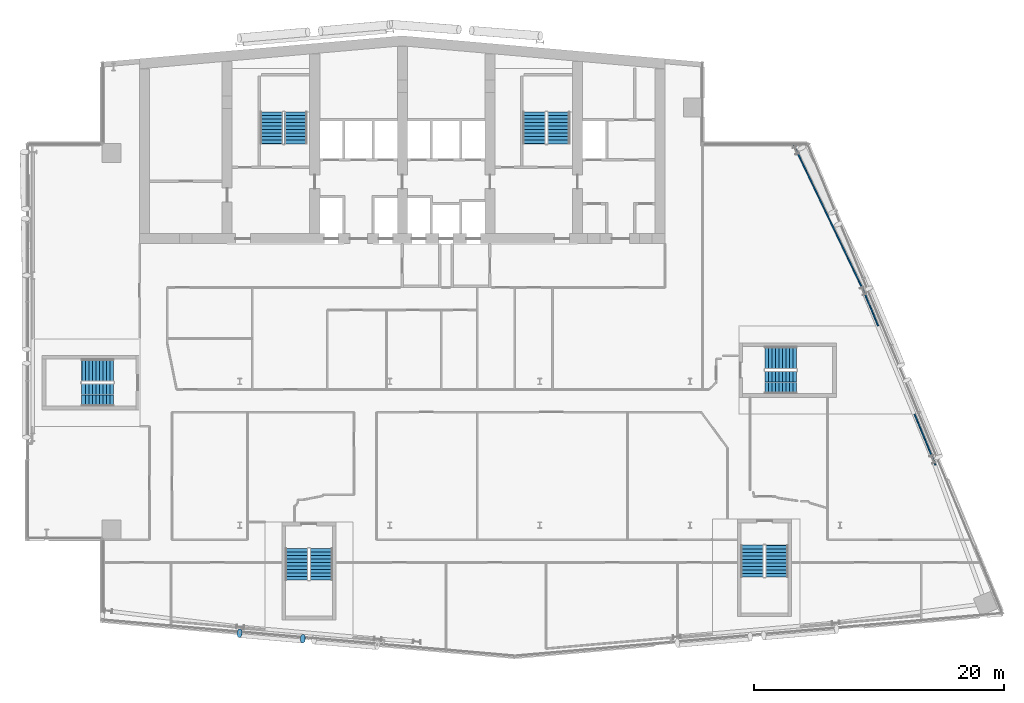
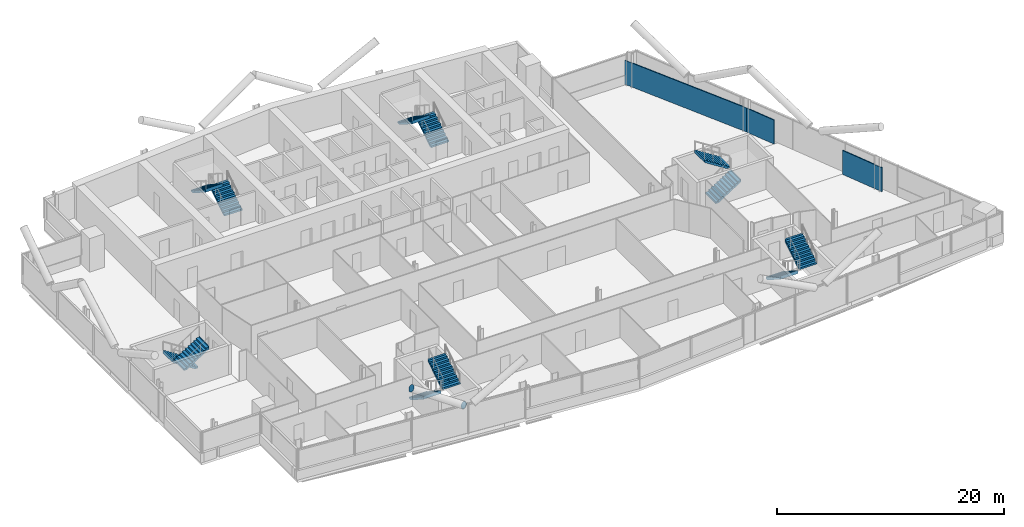
# One storey, part 20 of 27: 12 stair flights, 3 walls, 2 discrete accessories, 6 elements without a shape of their own.
"""IFC4 building model written with IfcOpenShell, lengths in metres."""

from ifc_helpers import new_model, si_unit, direction, frame, frame_2d, origin, origin_2d, place, context, subcontext, project, spatial, polyline, rectangle, circle, outline, extrude, material, layer, layer_set, material_profile, profile_set, type_object, element, aggregate, save


model = new_model("IFC4")

# Units and contexts
model_context = context("Model", 3, precision=1e-05, world=origin(), true_north=direction((0.0, 1.0)))
body_context = subcontext(model_context, "Body", "Model", "MODEL_VIEW")
ifc_project = project(units=[si_unit("LENGTHUNIT", "METRE"), si_unit("AREAUNIT", "SQUARE_METRE"), si_unit("VOLUMEUNIT", "CUBIC_METRE"), si_unit("PLANEANGLEUNIT", "RADIAN"), si_unit("MASSUNIT", "GRAM", prefix="KILO")], contexts=[model_context])

# Site, building, storey
site_placement = place(None, origin())
site = spatial("IfcSite", under=ifc_project, at=site_placement, CompositionType="ELEMENT")
building_placement = place(site_placement, origin())
building = spatial("IfcBuilding", under=site, at=building_placement, Name="Wharfspan Tower", CompositionType="ELEMENT")
storey_placement = place(building_placement, frame((0.0, 0.0, 195.100098)))
storey = spatial("IfcBuildingStorey", under=building, at=storey_placement, Name="L48", CompositionType="ELEMENT", Elevation=195.100098)

# Walls
ifc_material_1 = material(Name="Gypsum board on steel studs", Category="steel")
ifc_layer = layer(ifc_material_1, 0.100098)
ifc_layer_set = layer_set([ifc_layer], Name="Gypsum board on steel studs")
wall_type = type_object("IfcWallType", Name="Partition 100", PredefinedType="PARTITIONING", material=ifc_layer_set)
wall_1_placement = place(storey_placement, frame((73.88501, 30.22998, 0.0), z_axis=(0.0, 0.0, 1.0), x_axis=(-0.432107, 0.901822, 0.0)))
element("IfcWall", 1, at=wall_1_placement, inside=storey, type_object=wall_type, Name="Partition L48.w075", PredefinedType="PARTITIONING", context=body_context, shape_type="SweptSolid", body=[
    extrude(rectangle(XDim=13.015869, YDim=0.100098, at=frame_2d((6.507812, 0.0))), origin(), (0.0, 0.0, 1.0), 2.579834),
])
wall_2_placement = place(storey_placement, frame((75.046631, 27.419922, 0.0), z_axis=(0.0, 0.0, 1.0), x_axis=(-0.382024, 0.924148, 0.0)))
element("IfcWall", 2, at=wall_2_placement, inside=storey, type_object=wall_type, Name="Partition L48.w076", PredefinedType="PARTITIONING", context=body_context, shape_type="SweptSolid", body=[
    extrude(rectangle(XDim=3.040771, YDim=0.100098, at=frame_2d((1.520508, 0.0))), origin(), (0.0, 0.0, 1.0), 2.579834),
])
wall_3_placement = place(storey_placement, frame((79.629883, 16.310059, 0.0), z_axis=(0.0, 0.0, 1.0), x_axis=(-0.380933, 0.9246, 0.0)))
element("IfcWall", 3, at=wall_3_placement, inside=storey, type_object=wall_type, Name="Partition L48.w079", PredefinedType="PARTITIONING", context=body_context, shape_type="SweptSolid", body=[
    extrude(rectangle(XDim=4.401611, YDim=0.100098, at=frame_2d((2.200684, 0.0))), origin(), (0.0, 0.0, 1.0), 2.579834),
])

# Stair, stair flights
ifc_material_2 = material(Name="Concrete C40/50", Category="concrete")
stair_type = type_object("IfcStairType", Name="Half-turn stair 20 risers 180 mm", PredefinedType="HALF_TURN_STAIR", material=ifc_material_2)
stair_1_placement = place(storey_placement, origin())
stair_1 = element("IfcStair", 4, at=stair_1_placement, inside=storey, type_object=stair_type, Name="L48 stair ST1", PredefinedType="HALF_TURN_STAIR")
stair_flight_type = type_object("IfcStairFlightType", Name="Stair flight 20 risers 180 mm", PredefinedType="STRAIGHT", material=ifc_material_2)
stair_flight_1_placement = place(storey_placement, frame((28.5, 42.0, 0.0), z_axis=(0.0, 0.0, 1.0), x_axis=(0.0, 1.0, 0.0)))
stair_flight_1 = element("IfcStairFlight", 5, at=stair_flight_1_placement, type_object=stair_flight_type, Name="ST1 flight 1", NumberOfRisers=10, NumberOfTreads=9, PredefinedType="STRAIGHT", RiserHeight=0.18, TreadLength=0.28, context=body_context, shape_type="SweptSolid", body=[
    extrude(outline(polyline([(-0.011963, 0.0), (-0.011963, 0.179932), (0.0, 0.179932), (0.280029, 0.179932), (0.280029, 0.360107), (0.560059, 0.360107), (0.560059, 0.540039), (0.840088, 0.540039), (0.840088, 0.719971), (1.120117, 0.719971), (1.120117, 0.899902), (1.399902, 0.899902), (1.399902, 1.080078), (1.679932, 1.080078), (1.679932, 1.26001), (1.959961, 1.26001), (1.959961, 1.439941), (2.23999, 1.439941), (2.23999, 1.620117), (2.52002, 1.620117), (2.531982, 1.800049), (2.531982, 1.441895), (0.2771, 0.0), (-0.011963, 0.0)])), frame((0.0, 0.899902, 0.0), z_axis=(0.0, -1.0, 0.0), x_axis=(1.0, 0.0, 0.0)), (0.0, 0.0, 1.0), 0.899414),
    extrude(outline(polyline([(-0.011963, 0.0), (-0.011963, 0.179932), (0.0, 0.179932), (0.280029, 0.179932), (0.280029, 0.360107), (0.560059, 0.360107), (0.560059, 0.540039), (0.840088, 0.540039), (0.840088, 0.719971), (1.120117, 0.719971), (1.120117, 0.899902), (1.399902, 0.899902), (1.399902, 1.080078), (1.679932, 1.080078), (1.679932, 1.26001), (1.959961, 1.26001), (1.959961, 1.439941), (2.23999, 1.439941), (2.23999, 1.620117), (2.52002, 1.620117), (2.531982, 1.800049), (2.531982, 1.441895), (0.2771, 0.0), (-0.011963, 0.0)])), frame((0.0, -0.000488, 0.0), z_axis=(0.0, -1.0, 0.0), x_axis=(1.0, 0.0, 0.0)), (0.0, 0.0, 1.0), 0.899414),
])
stair_flight_2_placement = place(storey_placement, frame((26.550049, 44.52002, 1.799805), z_axis=(0.0, 0.0, 1.0), x_axis=(0.0, -1.0, 0.0)))
stair_flight_2 = element("IfcStairFlight", 6, at=stair_flight_2_placement, type_object=stair_flight_type, Name="ST1 flight 2", NumberOfRisers=10, NumberOfTreads=9, PredefinedType="STRAIGHT", RiserHeight=0.18, TreadLength=0.28, context=body_context, shape_type="SweptSolid", body=[
    extrude(outline(polyline([(-0.011963, 0.0), (-0.011963, 0.179932), (0.0, 0.179932), (0.280029, 0.179932), (0.280029, 0.360107), (0.560059, 0.360107), (0.560059, 0.540039), (0.840088, 0.540039), (0.840088, 0.719971), (1.120117, 0.719971), (1.120117, 0.899902), (1.399902, 0.899902), (1.399902, 1.080078), (1.679932, 1.080078), (1.679932, 1.26001), (1.959961, 1.26001), (1.959961, 1.439941), (2.23999, 1.439941), (2.23999, 1.620117), (2.52002, 1.620117), (2.531982, 1.800049), (2.531982, 1.441895), (0.2771, 0.0), (-0.011963, 0.0)])), frame((0.0, 0.899902, 0.0), z_axis=(0.0, -1.0, 0.0), x_axis=(1.0, 0.0, 0.0)), (0.0, 0.0, 1.0), 0.899414),
    extrude(outline(polyline([(-0.011963, 0.0), (-0.011963, 0.179932), (0.0, 0.179932), (0.280029, 0.179932), (0.280029, 0.360107), (0.560059, 0.360107), (0.560059, 0.540039), (0.840088, 0.540039), (0.840088, 0.719971), (1.120117, 0.719971), (1.120117, 0.899902), (1.399902, 0.899902), (1.399902, 1.080078), (1.679932, 1.080078), (1.679932, 1.26001), (1.959961, 1.26001), (1.959961, 1.439941), (2.23999, 1.439941), (2.23999, 1.620117), (2.52002, 1.620117), (2.531982, 1.800049), (2.531982, 1.441895), (0.2771, 0.0), (-0.011963, 0.0)])), frame((0.0, -0.000488, 0.0), z_axis=(0.0, -1.0, 0.0), x_axis=(1.0, 0.0, 0.0)), (0.0, 0.0, 1.0), 0.899414),
])
aggregate(stair_1, [stair_flight_1, stair_flight_2])

stair_2_placement = place(storey_placement, origin())
stair_2 = element("IfcStair", 7, at=stair_2_placement, inside=storey, type_object=stair_type, Name="L48 stair ST2", PredefinedType="HALF_TURN_STAIR")
stair_flight_3_placement = place(storey_placement, frame((49.5, 42.0, 0.0), z_axis=(0.0, 0.0, 1.0), x_axis=(0.0, 1.0, 0.0)))
stair_flight_3 = element("IfcStairFlight", 8, at=stair_flight_3_placement, type_object=stair_flight_type, Name="ST2 flight 1", NumberOfRisers=10, NumberOfTreads=9, PredefinedType="STRAIGHT", RiserHeight=0.18, TreadLength=0.28, context=body_context, shape_type="SweptSolid", body=[
    extrude(outline(polyline([(-0.011963, 0.0), (-0.011963, 0.179932), (0.0, 0.179932), (0.280029, 0.179932), (0.280029, 0.360107), (0.560059, 0.360107), (0.560059, 0.540039), (0.840088, 0.540039), (0.840088, 0.719971), (1.120117, 0.719971), (1.120117, 0.899902), (1.399902, 0.899902), (1.399902, 1.080078), (1.679932, 1.080078), (1.679932, 1.26001), (1.959961, 1.26001), (1.959961, 1.439941), (2.23999, 1.439941), (2.23999, 1.620117), (2.52002, 1.620117), (2.531982, 1.800049), (2.531982, 1.441895), (0.2771, 0.0), (-0.011963, 0.0)])), frame((0.0, 0.899902, 0.0), z_axis=(0.0, -1.0, 0.0), x_axis=(1.0, 0.0, 0.0)), (0.0, 0.0, 1.0), 0.899414),
    extrude(outline(polyline([(-0.011963, 0.0), (-0.011963, 0.179932), (0.0, 0.179932), (0.280029, 0.179932), (0.280029, 0.360107), (0.560059, 0.360107), (0.560059, 0.540039), (0.840088, 0.540039), (0.840088, 0.719971), (1.120117, 0.719971), (1.120117, 0.899902), (1.399902, 0.899902), (1.399902, 1.080078), (1.679932, 1.080078), (1.679932, 1.26001), (1.959961, 1.26001), (1.959961, 1.439941), (2.23999, 1.439941), (2.23999, 1.620117), (2.52002, 1.620117), (2.531982, 1.800049), (2.531982, 1.441895), (0.2771, 0.0), (-0.011963, 0.0)])), frame((0.0, -0.000488, 0.0), z_axis=(0.0, -1.0, 0.0), x_axis=(1.0, 0.0, 0.0)), (0.0, 0.0, 1.0), 0.899414),
])
stair_flight_4_placement = place(storey_placement, frame((47.550049, 44.52002, 1.799805), z_axis=(0.0, 0.0, 1.0), x_axis=(0.0, -1.0, 0.0)))
stair_flight_4 = element("IfcStairFlight", 9, at=stair_flight_4_placement, type_object=stair_flight_type, Name="ST2 flight 2", NumberOfRisers=10, NumberOfTreads=9, PredefinedType="STRAIGHT", RiserHeight=0.18, TreadLength=0.28, context=body_context, shape_type="SweptSolid", body=[
    extrude(outline(polyline([(-0.011963, 0.0), (-0.011963, 0.179932), (0.0, 0.179932), (0.280029, 0.179932), (0.280029, 0.360107), (0.560059, 0.360107), (0.560059, 0.540039), (0.840088, 0.540039), (0.840088, 0.719971), (1.120117, 0.719971), (1.120117, 0.899902), (1.399902, 0.899902), (1.399902, 1.080078), (1.679932, 1.080078), (1.679932, 1.26001), (1.959961, 1.26001), (1.959961, 1.439941), (2.23999, 1.439941), (2.23999, 1.620117), (2.52002, 1.620117), (2.531982, 1.800049), (2.531982, 1.441895), (0.2771, 0.0), (-0.011963, 0.0)])), frame((0.0, 0.899902, 0.0), z_axis=(0.0, -1.0, 0.0), x_axis=(1.0, 0.0, 0.0)), (0.0, 0.0, 1.0), 0.899414),
    extrude(outline(polyline([(-0.011963, 0.0), (-0.011963, 0.179932), (0.0, 0.179932), (0.280029, 0.179932), (0.280029, 0.360107), (0.560059, 0.360107), (0.560059, 0.540039), (0.840088, 0.540039), (0.840088, 0.719971), (1.120117, 0.719971), (1.120117, 0.899902), (1.399902, 0.899902), (1.399902, 1.080078), (1.679932, 1.080078), (1.679932, 1.26001), (1.959961, 1.26001), (1.959961, 1.439941), (2.23999, 1.439941), (2.23999, 1.620117), (2.52002, 1.620117), (2.531982, 1.800049), (2.531982, 1.441895), (0.2771, 0.0), (-0.011963, 0.0)])), frame((0.0, -0.000488, 0.0), z_axis=(0.0, -1.0, 0.0), x_axis=(1.0, 0.0, 0.0)), (0.0, 0.0, 1.0), 0.899414),
])
aggregate(stair_2, [stair_flight_3, stair_flight_4])

stair_3_placement = place(storey_placement, origin())
stair_3 = element("IfcStair", 10, at=stair_3_placement, inside=storey, type_object=stair_type, Name="L48 stair ST3", PredefinedType="HALF_TURN_STAIR")
stair_flight_5_placement = place(storey_placement, frame((13.899902, 23.875, 0.0), z_axis=(0.0, 0.0, 1.0), x_axis=(-1.0, 0.0, 0.0)))
stair_flight_5 = element("IfcStairFlight", 11, at=stair_flight_5_placement, type_object=stair_flight_type, Name="ST3 flight 1", NumberOfRisers=10, NumberOfTreads=9, PredefinedType="STRAIGHT", RiserHeight=0.18, TreadLength=0.28, context=body_context, shape_type="SweptSolid", body=[
    extrude(outline(polyline([(-0.011963, 0.0), (-0.011963, 0.179932), (0.0, 0.179932), (0.280029, 0.179932), (0.280029, 0.360107), (0.560059, 0.360107), (0.560059, 0.540039), (0.840088, 0.540039), (0.840088, 0.719971), (1.120117, 0.719971), (1.120117, 0.899902), (1.399902, 0.899902), (1.399902, 1.080078), (1.679932, 1.080078), (1.679932, 1.26001), (1.959961, 1.26001), (1.959961, 1.439941), (2.23999, 1.439941), (2.23999, 1.620117), (2.52002, 1.620117), (2.531982, 1.800049), (2.531982, 1.441895), (0.2771, 0.0), (-0.011963, 0.0)])), frame((0.0, 0.899902, 0.0), z_axis=(0.0, -1.0, 0.0), x_axis=(1.0, 0.0, 0.0)), (0.0, 0.0, 1.0), 0.899414),
    extrude(outline(polyline([(-0.011963, 0.0), (-0.011963, 0.179932), (0.0, 0.179932), (0.280029, 0.179932), (0.280029, 0.360107), (0.560059, 0.360107), (0.560059, 0.540039), (0.840088, 0.540039), (0.840088, 0.719971), (1.120117, 0.719971), (1.120117, 0.899902), (1.399902, 0.899902), (1.399902, 1.080078), (1.679932, 1.080078), (1.679932, 1.26001), (1.959961, 1.26001), (1.959961, 1.439941), (2.23999, 1.439941), (2.23999, 1.620117), (2.52002, 1.620117), (2.531982, 1.800049), (2.531982, 1.441895), (0.2771, 0.0), (-0.011963, 0.0)])), frame((0.0, -0.000488, 0.0), z_axis=(0.0, -1.0, 0.0), x_axis=(1.0, 0.0, 0.0)), (0.0, 0.0, 1.0), 0.899414),
])
stair_flight_6_placement = place(storey_placement, frame((11.379883, 21.925049, 1.799805), z_axis=(0.0, 0.0, 1.0), x_axis=(1.0, 0.0, 0.0)))
stair_flight_6 = element("IfcStairFlight", 12, at=stair_flight_6_placement, type_object=stair_flight_type, Name="ST3 flight 2", NumberOfRisers=10, NumberOfTreads=9, PredefinedType="STRAIGHT", RiserHeight=0.18, TreadLength=0.28, context=body_context, shape_type="SweptSolid", body=[
    extrude(outline(polyline([(-0.011963, 0.0), (-0.011963, 0.179932), (0.0, 0.179932), (0.280029, 0.179932), (0.280029, 0.360107), (0.560059, 0.360107), (0.560059, 0.540039), (0.840088, 0.540039), (0.840088, 0.719971), (1.120117, 0.719971), (1.120117, 0.899902), (1.399902, 0.899902), (1.399902, 1.080078), (1.679932, 1.080078), (1.679932, 1.26001), (1.959961, 1.26001), (1.959961, 1.439941), (2.23999, 1.439941), (2.23999, 1.620117), (2.52002, 1.620117), (2.531982, 1.800049), (2.531982, 1.441895), (0.2771, 0.0), (-0.011963, 0.0)])), frame((0.0, 0.899902, 0.0), z_axis=(0.0, -1.0, 0.0), x_axis=(1.0, 0.0, 0.0)), (0.0, 0.0, 1.0), 0.899414),
    extrude(outline(polyline([(-0.011963, 0.0), (-0.011963, 0.179932), (0.0, 0.179932), (0.280029, 0.179932), (0.280029, 0.360107), (0.560059, 0.360107), (0.560059, 0.540039), (0.840088, 0.540039), (0.840088, 0.719971), (1.120117, 0.719971), (1.120117, 0.899902), (1.399902, 0.899902), (1.399902, 1.080078), (1.679932, 1.080078), (1.679932, 1.26001), (1.959961, 1.26001), (1.959961, 1.439941), (2.23999, 1.439941), (2.23999, 1.620117), (2.52002, 1.620117), (2.531982, 1.800049), (2.531982, 1.441895), (0.2771, 0.0), (-0.011963, 0.0)])), frame((0.0, -0.000488, 0.0), z_axis=(0.0, -1.0, 0.0), x_axis=(1.0, 0.0, 0.0)), (0.0, 0.0, 1.0), 0.899414),
])
aggregate(stair_3, [stair_flight_5, stair_flight_6])

stair_4_placement = place(storey_placement, origin())
stair_4 = element("IfcStair", 13, at=stair_4_placement, inside=storey, type_object=stair_type, Name="L48 stair ST4", PredefinedType="HALF_TURN_STAIR")
stair_flight_7_placement = place(storey_placement, frame((28.564209, 9.634277, 0.0), z_axis=(0.0, 0.0, 1.0), x_axis=(0.0, -1.0, 0.0)))
stair_flight_7 = element("IfcStairFlight", 14, at=stair_flight_7_placement, type_object=stair_flight_type, Name="ST4 flight 1", NumberOfRisers=10, NumberOfTreads=9, PredefinedType="STRAIGHT", RiserHeight=0.18, TreadLength=0.28, context=body_context, shape_type="SweptSolid", body=[
    extrude(outline(polyline([(-0.011963, 0.0), (-0.011963, 0.179932), (0.0, 0.179932), (0.280029, 0.179932), (0.280029, 0.360107), (0.560059, 0.360107), (0.560059, 0.540039), (0.840088, 0.540039), (0.840088, 0.719971), (1.120117, 0.719971), (1.120117, 0.899902), (1.399902, 0.899902), (1.399902, 1.080078), (1.679932, 1.080078), (1.679932, 1.26001), (1.959961, 1.26001), (1.959961, 1.439941), (2.23999, 1.439941), (2.23999, 1.620117), (2.52002, 1.620117), (2.531982, 1.800049), (2.531982, 1.441895), (0.2771, 0.0), (-0.011963, 0.0)])), frame((0.0, 0.899902, 0.0), z_axis=(0.0, -1.0, 0.0), x_axis=(1.0, 0.0, 0.0)), (0.0, 0.0, 1.0), 0.899414),
    extrude(outline(polyline([(-0.011963, 0.0), (-0.011963, 0.179932), (0.0, 0.179932), (0.280029, 0.179932), (0.280029, 0.360107), (0.560059, 0.360107), (0.560059, 0.540039), (0.840088, 0.540039), (0.840088, 0.719971), (1.120117, 0.719971), (1.120117, 0.899902), (1.399902, 0.899902), (1.399902, 1.080078), (1.679932, 1.080078), (1.679932, 1.26001), (1.959961, 1.26001), (1.959961, 1.439941), (2.23999, 1.439941), (2.23999, 1.620117), (2.52002, 1.620117), (2.531982, 1.800049), (2.531982, 1.441895), (0.2771, 0.0), (-0.011963, 0.0)])), frame((0.0, -0.000488, 0.0), z_axis=(0.0, -1.0, 0.0), x_axis=(1.0, 0.0, 0.0)), (0.0, 0.0, 1.0), 0.899414),
])
stair_flight_8_placement = place(storey_placement, frame((30.51416, 7.114258, 1.799805), z_axis=(0.0, 0.0, 1.0), x_axis=(0.0, 1.0, 0.0)))
stair_flight_8 = element("IfcStairFlight", 15, at=stair_flight_8_placement, type_object=stair_flight_type, Name="ST4 flight 2", NumberOfRisers=10, NumberOfTreads=9, PredefinedType="STRAIGHT", RiserHeight=0.18, TreadLength=0.28, context=body_context, shape_type="SweptSolid", body=[
    extrude(outline(polyline([(-0.011963, 0.0), (-0.011963, 0.179932), (0.0, 0.179932), (0.280029, 0.179932), (0.280029, 0.360107), (0.560059, 0.360107), (0.560059, 0.540039), (0.840088, 0.540039), (0.840088, 0.719971), (1.120117, 0.719971), (1.120117, 0.899902), (1.399902, 0.899902), (1.399902, 1.080078), (1.679932, 1.080078), (1.679932, 1.26001), (1.959961, 1.26001), (1.959961, 1.439941), (2.23999, 1.439941), (2.23999, 1.620117), (2.52002, 1.620117), (2.531982, 1.800049), (2.531982, 1.441895), (0.2771, 0.0), (-0.011963, 0.0)])), frame((0.0, 0.899902, 0.0), z_axis=(0.0, -1.0, 0.0), x_axis=(1.0, 0.0, 0.0)), (0.0, 0.0, 1.0), 0.899414),
    extrude(outline(polyline([(-0.011963, 0.0), (-0.011963, 0.179932), (0.0, 0.179932), (0.280029, 0.179932), (0.280029, 0.360107), (0.560059, 0.360107), (0.560059, 0.540039), (0.840088, 0.540039), (0.840088, 0.719971), (1.120117, 0.719971), (1.120117, 0.899902), (1.399902, 0.899902), (1.399902, 1.080078), (1.679932, 1.080078), (1.679932, 1.26001), (1.959961, 1.26001), (1.959961, 1.439941), (2.23999, 1.439941), (2.23999, 1.620117), (2.52002, 1.620117), (2.531982, 1.800049), (2.531982, 1.441895), (0.2771, 0.0), (-0.011963, 0.0)])), frame((0.0, -0.000488, 0.0), z_axis=(0.0, -1.0, 0.0), x_axis=(1.0, 0.0, 0.0)), (0.0, 0.0, 1.0), 0.899414),
])
aggregate(stair_4, [stair_flight_7, stair_flight_8])

stair_5_placement = place(storey_placement, origin())
stair_5 = element("IfcStair", 16, at=stair_5_placement, inside=storey, type_object=stair_type, Name="L48 stair ST5", PredefinedType="HALF_TURN_STAIR")
stair_flight_9_placement = place(storey_placement, frame((64.986328, 9.883789, 0.0), z_axis=(0.0, 0.0, 1.0), x_axis=(0.0, -1.0, 0.0)))
stair_flight_9 = element("IfcStairFlight", 17, at=stair_flight_9_placement, type_object=stair_flight_type, Name="ST5 flight 1", NumberOfRisers=10, NumberOfTreads=9, PredefinedType="STRAIGHT", RiserHeight=0.18, TreadLength=0.28, context=body_context, shape_type="SweptSolid", body=[
    extrude(outline(polyline([(-0.011963, 0.0), (-0.011963, 0.179932), (0.0, 0.179932), (0.280029, 0.179932), (0.280029, 0.360107), (0.560059, 0.360107), (0.560059, 0.540039), (0.840088, 0.540039), (0.840088, 0.719971), (1.120117, 0.719971), (1.120117, 0.899902), (1.399902, 0.899902), (1.399902, 1.080078), (1.679932, 1.080078), (1.679932, 1.26001), (1.959961, 1.26001), (1.959961, 1.439941), (2.23999, 1.439941), (2.23999, 1.620117), (2.52002, 1.620117), (2.531982, 1.800049), (2.531982, 1.441895), (0.2771, 0.0), (-0.011963, 0.0)])), frame((0.0, 0.899902, 0.0), z_axis=(0.0, -1.0, 0.0), x_axis=(1.0, 0.0, 0.0)), (0.0, 0.0, 1.0), 0.899414),
    extrude(outline(polyline([(-0.011963, 0.0), (-0.011963, 0.179932), (0.0, 0.179932), (0.280029, 0.179932), (0.280029, 0.360107), (0.560059, 0.360107), (0.560059, 0.540039), (0.840088, 0.540039), (0.840088, 0.719971), (1.120117, 0.719971), (1.120117, 0.899902), (1.399902, 0.899902), (1.399902, 1.080078), (1.679932, 1.080078), (1.679932, 1.26001), (1.959961, 1.26001), (1.959961, 1.439941), (2.23999, 1.439941), (2.23999, 1.620117), (2.52002, 1.620117), (2.531982, 1.800049), (2.531982, 1.441895), (0.2771, 0.0), (-0.011963, 0.0)])), frame((0.0, -0.000488, 0.0), z_axis=(0.0, -1.0, 0.0), x_axis=(1.0, 0.0, 0.0)), (0.0, 0.0, 1.0), 0.899414),
])
stair_flight_10_placement = place(storey_placement, frame((66.936279, 7.36377, 1.799805), z_axis=(0.0, 0.0, 1.0), x_axis=(0.0, 1.0, 0.0)))
stair_flight_10 = element("IfcStairFlight", 18, at=stair_flight_10_placement, type_object=stair_flight_type, Name="ST5 flight 2", NumberOfRisers=10, NumberOfTreads=9, PredefinedType="STRAIGHT", RiserHeight=0.18, TreadLength=0.28, context=body_context, shape_type="SweptSolid", body=[
    extrude(outline(polyline([(-0.011963, 0.0), (-0.011963, 0.179932), (0.0, 0.179932), (0.280029, 0.179932), (0.280029, 0.360107), (0.560059, 0.360107), (0.560059, 0.540039), (0.840088, 0.540039), (0.840088, 0.719971), (1.120117, 0.719971), (1.120117, 0.899902), (1.399902, 0.899902), (1.399902, 1.080078), (1.679932, 1.080078), (1.679932, 1.26001), (1.959961, 1.26001), (1.959961, 1.439941), (2.23999, 1.439941), (2.23999, 1.620117), (2.52002, 1.620117), (2.531982, 1.800049), (2.531982, 1.441895), (0.2771, 0.0), (-0.011963, 0.0)])), frame((0.0, 0.899902, 0.0), z_axis=(0.0, -1.0, 0.0), x_axis=(1.0, 0.0, 0.0)), (0.0, 0.0, 1.0), 0.899414),
    extrude(outline(polyline([(-0.011963, 0.0), (-0.011963, 0.179932), (0.0, 0.179932), (0.280029, 0.179932), (0.280029, 0.360107), (0.560059, 0.360107), (0.560059, 0.540039), (0.840088, 0.540039), (0.840088, 0.719971), (1.120117, 0.719971), (1.120117, 0.899902), (1.399902, 0.899902), (1.399902, 1.080078), (1.679932, 1.080078), (1.679932, 1.26001), (1.959961, 1.26001), (1.959961, 1.439941), (2.23999, 1.439941), (2.23999, 1.620117), (2.52002, 1.620117), (2.531982, 1.800049), (2.531982, 1.441895), (0.2771, 0.0), (-0.011963, 0.0)])), frame((0.0, -0.000488, 0.0), z_axis=(0.0, -1.0, 0.0), x_axis=(1.0, 0.0, 0.0)), (0.0, 0.0, 1.0), 0.899414),
])
aggregate(stair_5, [stair_flight_9, stair_flight_10])

stair_6_placement = place(storey_placement, origin())
stair_6 = element("IfcStair", 19, at=stair_6_placement, inside=storey, type_object=stair_type, Name="L48 stair ST6", PredefinedType="HALF_TURN_STAIR")
stair_flight_11_placement = place(storey_placement, frame((66.004639, 22.925049, 0.0), z_axis=(0.0, 0.0, 1.0), x_axis=(1.0, 0.0, 0.0)))
stair_flight_11 = element("IfcStairFlight", 20, at=stair_flight_11_placement, type_object=stair_flight_type, Name="ST6 flight 1", NumberOfRisers=10, NumberOfTreads=9, PredefinedType="STRAIGHT", RiserHeight=0.18, TreadLength=0.28, context=body_context, shape_type="SweptSolid", body=[
    extrude(outline(polyline([(-0.011963, 0.0), (-0.011963, 0.179932), (0.0, 0.179932), (0.280029, 0.179932), (0.280029, 0.360107), (0.560059, 0.360107), (0.560059, 0.540039), (0.840088, 0.540039), (0.840088, 0.719971), (1.120117, 0.719971), (1.120117, 0.899902), (1.399902, 0.899902), (1.399902, 1.080078), (1.679932, 1.080078), (1.679932, 1.26001), (1.959961, 1.26001), (1.959961, 1.439941), (2.23999, 1.439941), (2.23999, 1.620117), (2.52002, 1.620117), (2.531982, 1.800049), (2.531982, 1.441895), (0.2771, 0.0), (-0.011963, 0.0)])), frame((0.0, 0.899902, 0.0), z_axis=(0.0, -1.0, 0.0), x_axis=(1.0, 0.0, 0.0)), (0.0, 0.0, 1.0), 0.899414),
    extrude(outline(polyline([(-0.011963, 0.0), (-0.011963, 0.179932), (0.0, 0.179932), (0.280029, 0.179932), (0.280029, 0.360107), (0.560059, 0.360107), (0.560059, 0.540039), (0.840088, 0.540039), (0.840088, 0.719971), (1.120117, 0.719971), (1.120117, 0.899902), (1.399902, 0.899902), (1.399902, 1.080078), (1.679932, 1.080078), (1.679932, 1.26001), (1.959961, 1.26001), (1.959961, 1.439941), (2.23999, 1.439941), (2.23999, 1.620117), (2.52002, 1.620117), (2.531982, 1.800049), (2.531982, 1.441895), (0.2771, 0.0), (-0.011963, 0.0)])), frame((0.0, -0.000488, 0.0), z_axis=(0.0, -1.0, 0.0), x_axis=(1.0, 0.0, 0.0)), (0.0, 0.0, 1.0), 0.899414),
])
stair_flight_12_placement = place(storey_placement, frame((68.524658, 24.875, 1.799805), z_axis=(0.0, 0.0, 1.0), x_axis=(-1.0, 0.0, 0.0)))
stair_flight_12 = element("IfcStairFlight", 21, at=stair_flight_12_placement, type_object=stair_flight_type, Name="ST6 flight 2", NumberOfRisers=10, NumberOfTreads=9, PredefinedType="STRAIGHT", RiserHeight=0.18, TreadLength=0.28, context=body_context, shape_type="SweptSolid", body=[
    extrude(outline(polyline([(-0.011963, 0.0), (-0.011963, 0.179932), (0.0, 0.179932), (0.280029, 0.179932), (0.280029, 0.360107), (0.560059, 0.360107), (0.560059, 0.540039), (0.840088, 0.540039), (0.840088, 0.719971), (1.120117, 0.719971), (1.120117, 0.899902), (1.399902, 0.899902), (1.399902, 1.080078), (1.679932, 1.080078), (1.679932, 1.26001), (1.959961, 1.26001), (1.959961, 1.439941), (2.23999, 1.439941), (2.23999, 1.620117), (2.52002, 1.620117), (2.531982, 1.800049), (2.531982, 1.441895), (0.2771, 0.0), (-0.011963, 0.0)])), frame((0.0, 0.899902, 0.0), z_axis=(0.0, -1.0, 0.0), x_axis=(1.0, 0.0, 0.0)), (0.0, 0.0, 1.0), 0.899414),
    extrude(outline(polyline([(-0.011963, 0.0), (-0.011963, 0.179932), (0.0, 0.179932), (0.280029, 0.179932), (0.280029, 0.360107), (0.560059, 0.360107), (0.560059, 0.540039), (0.840088, 0.540039), (0.840088, 0.719971), (1.120117, 0.719971), (1.120117, 0.899902), (1.399902, 0.899902), (1.399902, 1.080078), (1.679932, 1.080078), (1.679932, 1.26001), (1.959961, 1.26001), (1.959961, 1.439941), (2.23999, 1.439941), (2.23999, 1.620117), (2.52002, 1.620117), (2.531982, 1.800049), (2.531982, 1.441895), (0.2771, 0.0), (-0.011963, 0.0)])), frame((0.0, -0.000488, 0.0), z_axis=(0.0, -1.0, 0.0), x_axis=(1.0, 0.0, 0.0)), (0.0, 0.0, 1.0), 0.899414),
])
aggregate(stair_6, [stair_flight_11, stair_flight_12])

# Discrete accessories
ifc_material_3 = material(Name="Steel S460NH", Category="steel")
ifc_material_profile = material_profile(ifc_material_3, circle(Radius=0.355469, at=origin_2d()))
ifc_profile_set = profile_set([ifc_material_profile], Name="Steel S460NH")
discrete_accessory_type = type_object("IfcDiscreteAccessoryType", Name="End plate CHS 711x36", PredefinedType="BRACKET", material=ifc_profile_set)
discrete_accessory_1_placement = place(storey_placement, frame((29.051758, 2.415527, 3.190186), z_axis=(-0.83357, 0.071449, 0.547774), x_axis=(-0.085401, -0.996343, 0.0)))
element("IfcDiscreteAccessory", 22, at=discrete_accessory_1_placement, inside=storey, type_object=discrete_accessory_type, Name="End plate CHS 711x36", PredefinedType="BRACKET", context=body_context, shape_type="SweptSolid", body=[
    extrude(circle(Radius=0.355469, at=origin_2d()), origin(), (0.0, 0.0, 1.0), 0.010254),
])
discrete_accessory_2_placement = place(storey_placement, frame((23.995117, 2.85791, 6.5), z_axis=(-0.837276, 0.073877, 0.541767), x_axis=(-0.087893, -0.996132, 1e-06)))
element("IfcDiscreteAccessory", 23, at=discrete_accessory_2_placement, inside=storey, type_object=discrete_accessory_type, Name="End plate CHS 711x36", PredefinedType="BRACKET", context=body_context, shape_type="SweptSolid", body=[
    extrude(circle(Radius=0.355469, at=origin_2d()), origin(), (0.0, 0.0, 1.0), 0.01001),
])

save(model, "model.ifc")
